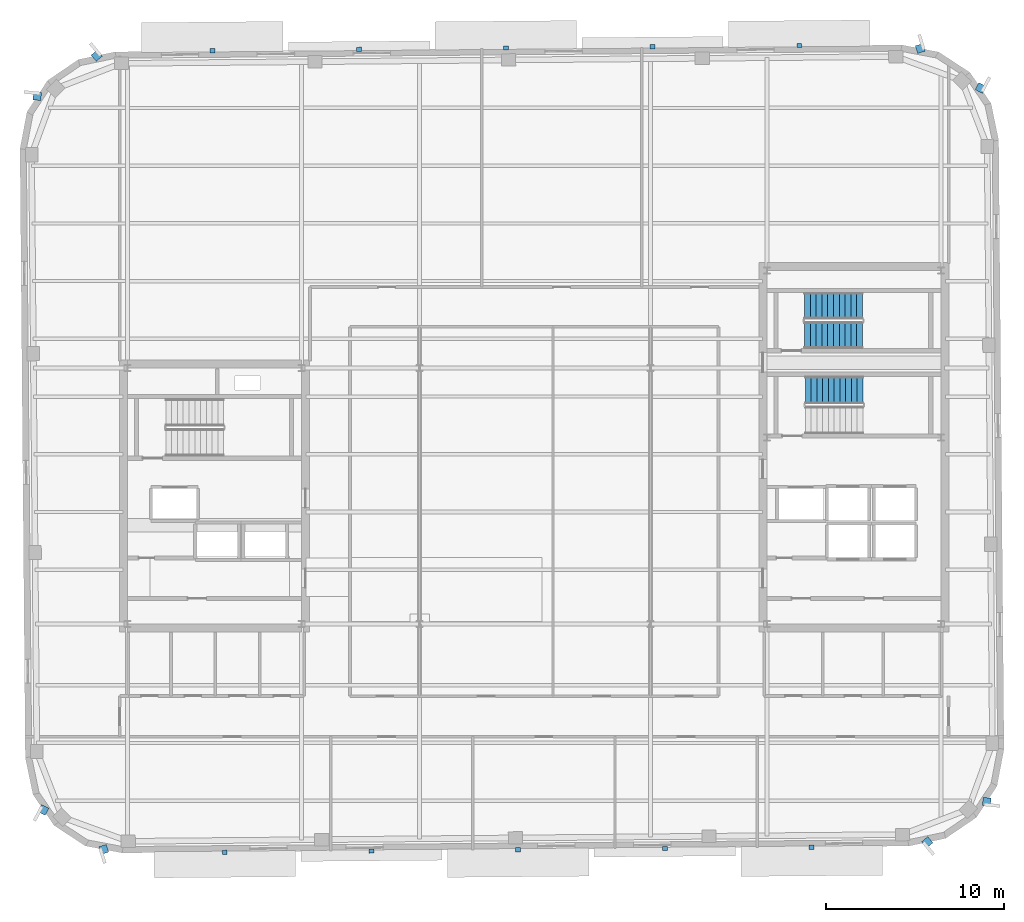
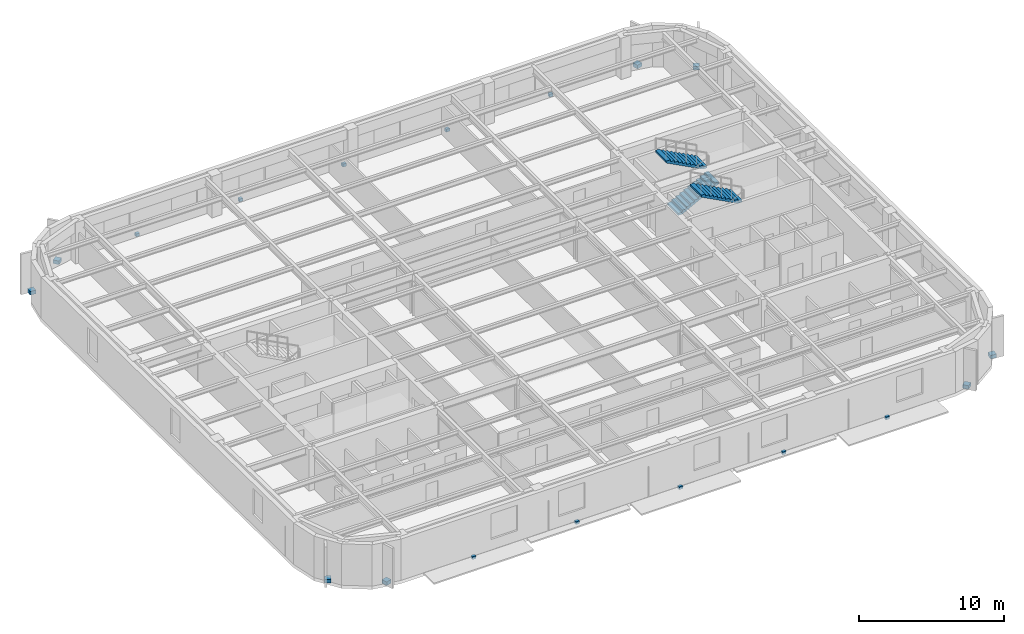
# One storey, part 10 of 15: 18 discrete accessories, 3 stair flights, 2 elements without a shape of their own.
"""IFC4 building model written with IfcOpenShell, lengths in metres."""

from ifc_helpers import new_model, si_unit, direction, frame, origin, origin_2d, place, context, subcontext, project, spatial, polyline, rectangle, outline, extrude, material, type_object, element, aggregate, save


model = new_model("IFC4")

# Units and contexts
model_context = context("Model", 3, precision=1e-05, world=origin(), true_north=direction((0.0, 1.0)))
body_context = subcontext(model_context, "Body", "Model", "MODEL_VIEW")
ifc_project = project(units=[si_unit("LENGTHUNIT", "METRE"), si_unit("AREAUNIT", "SQUARE_METRE"), si_unit("VOLUMEUNIT", "CUBIC_METRE"), si_unit("PLANEANGLEUNIT", "RADIAN"), si_unit("MASSUNIT", "GRAM", prefix="KILO")], contexts=[model_context])

# Site, building, storey
site_placement = place(None, origin())
site = spatial("IfcSite", under=ifc_project, at=site_placement, CompositionType="ELEMENT")
building_placement = place(site_placement, origin())
building = spatial("IfcBuilding", under=site, at=building_placement, Name="Kolvaren Arena Tower", CompositionType="ELEMENT")
storey_placement = place(building_placement, frame((0.0, 0.0, 293.64990234375)))
storey = spatial("IfcBuildingStorey", under=building, at=storey_placement, Name="L72", CompositionType="ELEMENT", Elevation=293.64990234375)

# Stair, stair flights
ifc_material_1 = material(Name="Concrete 45 MPa", Category="concrete")
stair_type_1 = type_object("IfcStairType", Name="STAIR-CORE-150", PredefinedType="HALF_TURN_STAIR", material=ifc_material_1)
stair_1_placement = place(storey_placement, origin())
stair_1 = element("IfcStair", 1, at=stair_1_placement, inside=storey, type_object=stair_type_1, Name="L72 ST-E2", PredefinedType="HALF_TURN_STAIR")
stair_flight_type_1 = type_object("IfcStairFlightType", Name="FLT-150", PredefinedType="STRAIGHT", material=ifc_material_1)
stair_flight_1_placement = place(storey_placement, frame((52.679931640625, 35.699951171875, 0.0), z_axis=(0.0, 0.0, 1.0), x_axis=(1.0, 0.0, 0.0)))
stair_flight_1 = element("IfcStairFlight", 2, at=stair_flight_1_placement, type_object=stair_flight_type_1, Name="ST-E2 flight 1", NumberOfRisers=11, NumberOfTreads=10, PredefinedType="STRAIGHT", RiserHeight=0.170454545, TreadLength=0.324, context=body_context, shape_type="SweptSolid", body=[
    extrude(outline(polyline([(0.0, 0.0), (0.0, 0.17041015625), (0.323974609375, 0.17041015625), (0.323974609375, 0.3408203125), (0.64794921875, 0.3408203125), (0.64794921875, 0.511474609375), (0.971923828125, 0.511474609375), (0.971923828125, 0.681884765625), (1.2958984375, 0.681884765625), (1.2958984375, 0.852294921875), (1.6201171875, 0.852294921875), (1.6201171875, 1.022705078125), (1.944091796875, 1.022705078125), (1.944091796875, 1.193115234375), (2.26806640625, 1.193115234375), (2.26806640625, 1.363525390625), (2.592041015625, 1.363525390625), (2.592041015625, 1.5341796875), (2.916015625, 1.5341796875), (2.916015625, 1.70458984375), (3.239990234375, 1.70458984375), (3.239990234375, 1.875), (3.239990234375, 1.53515625), (0.322021484375, 0.0), (0.0, 0.0)])), frame((0.0, 0.75, 0.0), z_axis=(0.0, -1.0, 0.0), x_axis=(1.0, 0.0, 0.0)), (0.0, 0.0, 1.0), 1.5),
])
stair_flight_2_placement = place(storey_placement, frame((55.919921875, 37.35009765625, 1.875), z_axis=(0.0, 0.0, 1.0), x_axis=(-1.0, 0.0, 0.0)))
stair_flight_2 = element("IfcStairFlight", 3, at=stair_flight_2_placement, type_object=stair_flight_type_1, Name="ST-E2 flight 2", NumberOfRisers=11, NumberOfTreads=10, PredefinedType="STRAIGHT", RiserHeight=0.170454545, TreadLength=0.324, context=body_context, shape_type="SweptSolid", body=[
    extrude(outline(polyline([(0.0, 0.0), (0.0, 0.17041015625), (0.323974609375, 0.17041015625), (0.323974609375, 0.3408203125), (0.64794921875, 0.3408203125), (0.64794921875, 0.511474609375), (0.971923828125, 0.511474609375), (0.971923828125, 0.681884765625), (1.2958984375, 0.681884765625), (1.2958984375, 0.852294921875), (1.6201171875, 0.852294921875), (1.6201171875, 1.022705078125), (1.944091796875, 1.022705078125), (1.944091796875, 1.193115234375), (2.26806640625, 1.193115234375), (2.26806640625, 1.363525390625), (2.592041015625, 1.363525390625), (2.592041015625, 1.5341796875), (2.916015625, 1.5341796875), (2.916015625, 1.70458984375), (3.239990234375, 1.70458984375), (3.239990234375, 1.875), (3.239990234375, 1.53515625), (0.322021484375, 0.0), (0.0, 0.0)])), frame((0.0, 0.75, 0.0), z_axis=(0.0, -1.0, 0.0), x_axis=(1.0, 0.0, 0.0)), (0.0, 0.0, 1.0), 1.5),
])
aggregate(stair_1, [stair_flight_1, stair_flight_2])

# Stair, stair flight
stair_type_2 = type_object("IfcStairType", Name="STAIR-CORE-165", PredefinedType="HALF_TURN_STAIR", material=ifc_material_1)
stair_2_placement = place(storey_placement, origin())
stair_2 = element("IfcStair", 4, at=stair_2_placement, inside=storey, type_object=stair_type_2, Name="L72 ST-E1", PredefinedType="HALF_TURN_STAIR")
stair_flight_type_2 = type_object("IfcStairFlightType", Name="FLT-165", PredefinedType="STRAIGHT", material=ifc_material_1)
stair_flight_3_placement = place(storey_placement, frame((55.9599609375, 32.610107421875, 1.875), z_axis=(0.0, 0.0, 1.0), x_axis=(-1.0, 0.0, 0.0)))
stair_flight_3 = element("IfcStairFlight", 5, at=stair_flight_3_placement, type_object=stair_flight_type_2, Name="ST-E1 flight 2", NumberOfRisers=11, NumberOfTreads=10, PredefinedType="STRAIGHT", RiserHeight=0.170454545, TreadLength=0.324, context=body_context, shape_type="SweptSolid", body=[
    extrude(outline(polyline([(0.0, 0.0), (0.0, 0.17041015625), (0.323974609375, 0.17041015625), (0.323974609375, 0.3408203125), (0.64794921875, 0.3408203125), (0.64794921875, 0.511474609375), (0.971923828125, 0.511474609375), (0.971923828125, 0.681884765625), (1.2958984375, 0.681884765625), (1.2958984375, 0.852294921875), (1.6201171875, 0.852294921875), (1.6201171875, 1.022705078125), (1.944091796875, 1.022705078125), (1.944091796875, 1.193115234375), (2.26806640625, 1.193115234375), (2.26806640625, 1.363525390625), (2.592041015625, 1.363525390625), (2.592041015625, 1.5341796875), (2.916015625, 1.5341796875), (2.916015625, 1.70458984375), (3.239990234375, 1.70458984375), (3.239990234375, 1.875), (3.239990234375, 1.53515625), (0.322021484375, 0.0), (0.0, 0.0)])), frame((0.0, 0.77001953125, 0.0), z_axis=(0.0, -1.0, 0.0), x_axis=(1.0, 0.0, 0.0)), (0.0, 0.0, 1.0), 1.5400390625),
])
aggregate(stair_2, [stair_flight_3])

# Discrete accessories
ifc_material_2 = material(Name="Stainless steel facade support bracket", Category="steel")
discrete_accessory_type = type_object("IfcDiscreteAccessoryType", Name="ACC-BRKT-1", PredefinedType="BRACKET", material=ifc_material_2)
for number, where, z_axis, x_axis, name in (
    (6, (59.577392578125, 7.15869140625, 0.02001953125), (0.0, 0.0, 1.0), (0.639409480102, -0.768866384202, 0.0), "Corner Fin Anchor Bracket (L72)"),
    (7, (62.927978515625, 9.43994140625, 0.02001953125), (0.0, 0.0, 1.0), (0.995807961336, -0.091468596471, 0.0), "Corner Fin Anchor Bracket (L72)"),
    (8, (62.577392578125, 49.623291015625, 0.02001953125), (0.0, 0.0, 1.0), (0.465619154103, 0.884985199499, 0.0), "Corner Fin Anchor Bracket (L72)"),
    (9, (59.1875, 51.845947265625, 0.02001953125), (0.0, 0.0, 1.0), (-0.296541574976, 0.955019944457, 0.0), "Corner Fin Anchor Bracket (L72)"),
):
    element("IfcDiscreteAccessory", number, at=place(storey_placement, frame(where, z_axis=z_axis, x_axis=x_axis)), inside=storey, type_object=discrete_accessory_type, Name=name, PredefinedType="BRACKET", context=body_context, shape_type="SweptSolid", body=[
        extrude(rectangle(XDim=0.449951171875, YDim=0.449951171875, at=origin_2d()), origin(), (0.0, 0.0, 1.0), 0.300048828125),
    ])
for number, where, z_axis, x_axis, name in (
    (10, (19.333740234375, 51.7236328125, -0.1796875), (0.0, 0.0, 1.0), (0.999961923064, 0.008726535498, 0.0), "Sunshade Support Bracket (L72)"),
    (11, (27.593505859375, 51.795654296875, -0.1796875), (0.0, 0.0, 1.0), (0.999961923064, 0.008726535498, 0.0), "Sunshade Support Bracket (L72)"),
    (12, (35.85302734375, 51.867919921875, -0.1796875), (0.0, 0.0, 1.0), (0.999961923064, 0.008726535498, 0.0), "Sunshade Support Bracket (L72)"),
    (13, (44.11279296875, 51.93994140625, -0.1796875), (0.0, 0.0, 1.0), (0.999961923064, 0.008726535498, 0.0), "Sunshade Support Bracket (L72)"),
    (14, (52.372314453125, 52.011962890625, -0.1796875), (0.0, 0.0, 1.0), (0.999961923064, 0.008726535498, 0.0), "Sunshade Support Bracket (L72)"),
):
    element("IfcDiscreteAccessory", number, at=place(storey_placement, frame(where, z_axis=z_axis, x_axis=x_axis)), inside=storey, type_object=discrete_accessory_type, Name=name, PredefinedType="BRACKET", context=body_context, shape_type="SweptSolid", body=[
        extrude(rectangle(XDim=0.280029296875, YDim=0.239990234375, at=origin_2d()), origin(), (0.0, 0.0, 1.0), 0.239990234375),
    ])
for number, where, z_axis, x_axis, name in (
    (15, (12.822509765625, 51.44140625, 0.02001953125), (0.0, 0.0, 1.0), (-0.639409480102, 0.768866384202, 0.0), "Corner Fin Anchor Bracket (L72)"),
    (16, (9.471923828125, 49.159912109375, 0.02001953125), (0.0, 0.0, 1.0), (-0.995807961336, 0.091468596471, 0.0), "Corner Fin Anchor Bracket (L72)"),
    (17, (9.82275390625, 8.9765625, 0.02001953125), (0.0, 0.0, 1.0), (-0.465619154103, -0.884985199499, 0.0), "Corner Fin Anchor Bracket (L72)"),
    (18, (13.212646484375, 6.754150390625, 0.02001953125), (0.0, 0.0, 1.0), (0.296541574976, -0.955019944457, 0.0), "Corner Fin Anchor Bracket (L72)"),
):
    element("IfcDiscreteAccessory", number, at=place(storey_placement, frame(where, z_axis=z_axis, x_axis=x_axis)), inside=storey, type_object=discrete_accessory_type, Name=name, PredefinedType="BRACKET", context=body_context, shape_type="SweptSolid", body=[
        extrude(rectangle(XDim=0.449951171875, YDim=0.449951171875, at=origin_2d()), origin(), (0.0, 0.0, 1.0), 0.300048828125),
    ])
for number, where, z_axis, x_axis, name in (
    (19, (53.06640625, 6.87646484375, -0.1796875), (0.0, 0.0, 1.0), (-0.999961923064, -0.008726535498, 0.0), "Sunshade Support Bracket (L72)"),
    (20, (44.806640625, 6.80419921875, -0.1796875), (0.0, 0.0, 1.0), (-0.999961923064, -0.008726535498, 0.0), "Sunshade Support Bracket (L72)"),
    (21, (36.546875, 6.732177734375, -0.1796875), (0.0, 0.0, 1.0), (-0.999961923064, -0.008726535498, 0.0), "Sunshade Support Bracket (L72)"),
    (22, (28.287109375, 6.66015625, -0.1796875), (0.0, 0.0, 1.0), (-0.999961923064, -0.008726535498, 0.0), "Sunshade Support Bracket (L72)"),
    (23, (20.027587890625, 6.587890625, -0.1796875), (0.0, 0.0, 1.0), (-0.999961923064, -0.008726535498, 0.0), "Sunshade Support Bracket (L72)"),
):
    element("IfcDiscreteAccessory", number, at=place(storey_placement, frame(where, z_axis=z_axis, x_axis=x_axis)), inside=storey, type_object=discrete_accessory_type, Name=name, PredefinedType="BRACKET", context=body_context, shape_type="SweptSolid", body=[
        extrude(rectangle(XDim=0.280029296875, YDim=0.239990234375, at=origin_2d()), origin(), (0.0, 0.0, 1.0), 0.239990234375),
    ])

save(model, "model.ifc")
